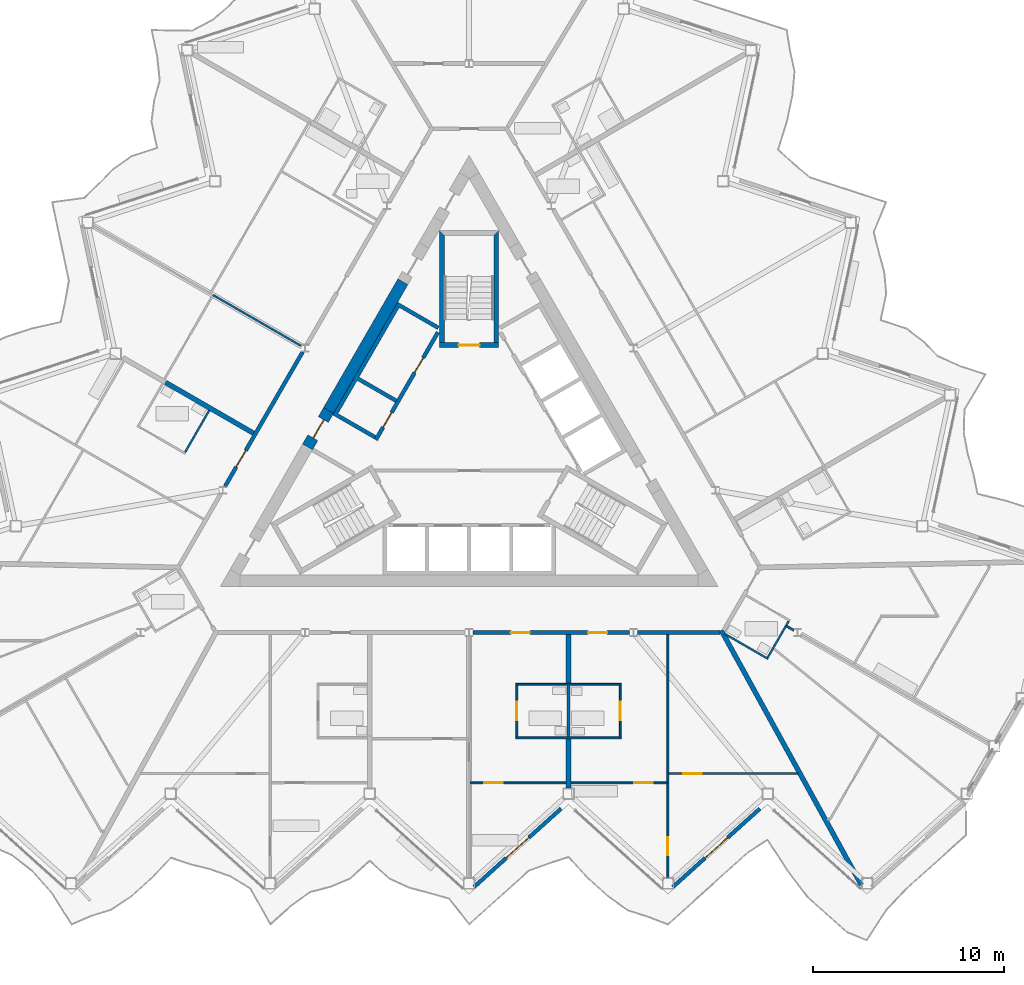
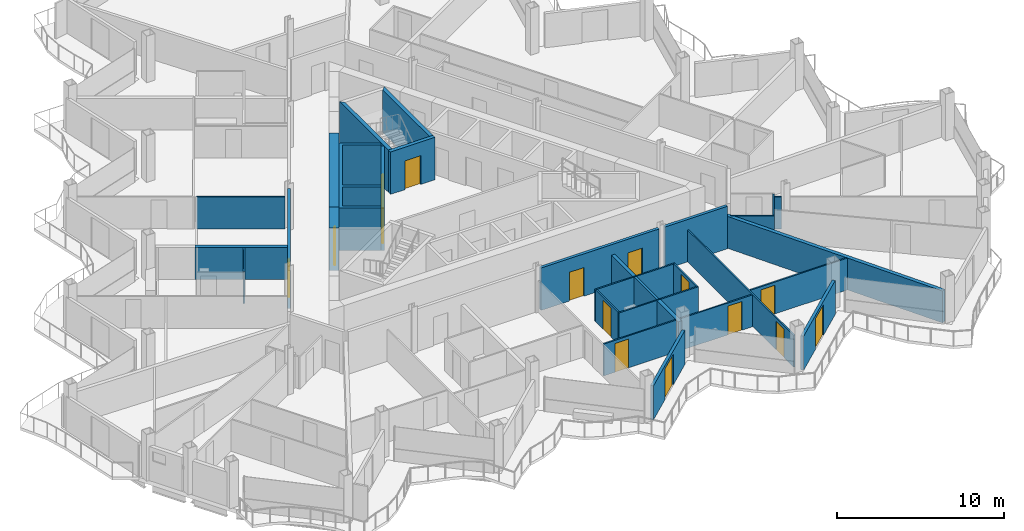
# One storey, part 15 of 27: 29 walls, 15 doors, 15 openings.
"""IFC4 building model written with IfcOpenShell, lengths in metres."""

from ifc_helpers import new_model, si_unit, direction, frame, frame_2d, origin, place, context, subcontext, project, spatial, polyline, rectangle, outline, extrude, material, layer, layer_set, type_object, element, fill, save


model = new_model("IFC4")

# Units and contexts
model_context = context("Model", 3, precision=1e-05, world=origin(), true_north=direction((0.0, 1.0)))
body_context = subcontext(model_context, "Body", "Model", "MODEL_VIEW")
ifc_project = project(units=[si_unit("LENGTHUNIT", "METRE"), si_unit("AREAUNIT", "SQUARE_METRE"), si_unit("VOLUMEUNIT", "CUBIC_METRE"), si_unit("PLANEANGLEUNIT", "RADIAN"), si_unit("MASSUNIT", "GRAM", prefix="KILO")], contexts=[model_context])

# Site, building, storey
site_placement = place(None, origin())
site = spatial("IfcSite", under=ifc_project, at=site_placement, CompositionType="ELEMENT")
building_placement = place(site_placement, origin())
building = spatial("IfcBuilding", under=site, at=building_placement, Name="Cormorant Prow Tower", CompositionType="ELEMENT")
storey_placement = place(building_placement, frame((0.0, 0.0, 318.800048828125)))
storey = spatial("IfcBuildingStorey", under=building, at=storey_placement, Name="L70", CompositionType="ELEMENT", Elevation=318.800048828125)

# Wall
ifc_material_1 = material(Name="Concrete 8000 psi", Category="concrete")
ifc_layer_1 = layer(ifc_material_1, 0.60009765625)
ifc_layer_set_1 = layer_set([ifc_layer_1], Name="Concrete 8000 psi")
wall_type_1 = type_object("IfcWallType", Name="Core shear wall 600", PredefinedType="SHEAR", material=ifc_layer_set_1)
wall_1_placement = place(storey_placement, frame((-3.460693359375, 8.416748046875, 0.0), z_axis=(0.0, 0.0, 1.0), x_axis=(-0.50000391502, -0.866023143435, 0.0)))
element("IfcWall", 1, at=wall_1_placement, inside=storey, type_object=wall_type_1, Name="Core wall", PredefinedType="SHEAR", context=body_context, shape_type="SweptSolid", body=[
    extrude(rectangle(XDim=7.7587890625, YDim=0.60009765625, at=frame_2d((3.87939453125, 0.0))), origin(), (0.0, 0.0, 1.0), 3.099853515625),
])

# Wall, opening, door
wall_2_placement = place(storey_placement, frame((-7.340087890625, 1.697509765625, 0.0), z_axis=(0.0, 0.0, 1.0), x_axis=(-0.50002983664, -0.866008176907, 0.0)))
wall_2 = element("IfcWall", 2, at=wall_2_placement, inside=storey, type_object=wall_type_1, Name="Core wall door panel", PredefinedType="SHEAR", context=body_context, shape_type="SweptSolid", body=[
    extrude(rectangle(XDim=2.199951171875, YDim=0.60009765625, at=frame_2d((1.10009765625, 0.0))), origin(), (0.0, 0.0, 1.0), 3.099853515625),
])
opening_1_placement = place(wall_2_placement, frame((0.550048828125, 0.0, 0.0)))
opening_1 = element("IfcOpeningElement", 3, at=opening_1_placement, cuts=wall_2, Name="Opening L70-C20", PredefinedType="OPENING", context=body_context, shape_type="SweptSolid", body=[
    extrude(rectangle(XDim=1.10009765625, YDim=2.10009765625, at=frame_2d((0.550048828125, 1.050048828125))), frame((0.0, 0.31005859375, 0.0), z_axis=(0.0, -1.0, 0.0), x_axis=(1.0, 0.0, 0.0)), (0.0, 0.0, 1.0), 0.6201171875),
])
ifc_material_2 = material(Name="Painted steel", Category="steel")
door_type_1 = type_object("IfcDoorType", Name="Core door 1100x2100", OperationType="NOTDEFINED", PredefinedType="DOOR", material=ifc_material_2)
door_1_placement = place(opening_1_placement, origin())
door_1 = element("IfcDoor", 4, at=door_1_placement, inside=storey, type_object=door_type_1, Name="Core door, lift lobby", OperationType="SINGLE_SWING_RIGHT", OverallHeight=2.10009765625, OverallWidth=1.10009765625, PredefinedType="DOOR", context=body_context, shape_type="SweptSolid", body=[
    extrude(rectangle(XDim=1.10009765625, YDim=2.10009765625, at=frame_2d((0.550048828125, 1.050048828125))), frame((0.0, 0.05517578125, 0.0), z_axis=(0.0, -1.0, 0.0), x_axis=(1.0, 0.0, 0.0)), (0.0, 0.0, 1.0), 0.050048828125),
])
fill(opening_1, door_1)

# Wall, openings, doors
ifc_material_3 = material(Name="Gypsum board corridor wall")
ifc_layer_2 = layer(ifc_material_3, 0.199951171875)
ifc_layer_set_2 = layer_set([ifc_layer_2], Name="Gypsum board corridor wall")
wall_type_2 = type_object("IfcWallType", Name="Corridor wall 200", PredefinedType="PARTITIONING", material=ifc_layer_set_2)
wall_3_placement = place(storey_placement, frame((0.207763671875, -9.905517578125, 0.0), z_axis=(0.0, 0.0, 1.0), x_axis=(1.0, 0.0, 0.0)))
wall_3 = element("IfcWall", 5, at=wall_3_placement, inside=storey, type_object=wall_type_2, Name="Corridor wall", PredefinedType="PARTITIONING", context=body_context, shape_type="SweptSolid", body=[
    extrude(rectangle(XDim=8.1630859375, YDim=0.199951171875, at=frame_2d((4.08154296875, 0.0))), origin(), (0.0, 0.0, 1.0), 3.099853515625),
])
opening_2_placement = place(wall_3_placement, frame((1.96630859375, 0.0, 0.0)))
opening_2 = element("IfcOpeningElement", 6, at=opening_2_placement, cuts=wall_3, Name="Opening L70-F06", PredefinedType="OPENING", context=body_context, shape_type="SweptSolid", body=[
    extrude(rectangle(XDim=1.0, YDim=2.10009765625, at=frame_2d((0.5, 1.050048828125))), frame((0.0, 0.10986328125, 0.0), z_axis=(0.0, -1.0, 0.0), x_axis=(1.0, 0.0, 0.0)), (0.0, 0.0, 1.0), 0.219970703125),
])
opening_3_placement = place(wall_3_placement, frame((6.00439453125, 0.0, 0.0)))
opening_3 = element("IfcOpeningElement", 7, at=opening_3_placement, cuts=wall_3, Name="Opening L70-F11", PredefinedType="OPENING", context=body_context, shape_type="SweptSolid", body=[
    extrude(rectangle(XDim=1.0, YDim=2.10009765625, at=frame_2d((0.5, 1.050048828125))), frame((0.0, 0.10986328125, 0.0), z_axis=(0.0, -1.0, 0.0), x_axis=(1.0, 0.0, 0.0)), (0.0, 0.0, 1.0), 0.219970703125),
])
ifc_material_4 = material(Name="Timber door leaf", Category="wood")
door_type_2 = type_object("IfcDoorType", Name="Flat or room entrance door 1000x2100", OperationType="NOTDEFINED", PredefinedType="DOOR", material=ifc_material_4)
door_2_placement = place(opening_2_placement, origin())
door_2 = element("IfcDoor", 8, at=door_2_placement, inside=storey, type_object=door_type_2, Name="Living room door", OperationType="SINGLE_SWING_RIGHT", OverallHeight=2.10009765625, OverallWidth=1.0, PredefinedType="DOOR", context=body_context, shape_type="SweptSolid", body=[
    extrude(rectangle(XDim=1.0, YDim=2.10009765625, at=frame_2d((0.5, 1.050048828125))), frame((0.0, 0.02490234375, 0.0), z_axis=(0.0, -1.0, 0.0), x_axis=(1.0, 0.0, 0.0)), (0.0, 0.0, 1.0), 0.050048828125),
])
fill(opening_2, door_2)
door_3_placement = place(opening_3_placement, origin())
door_3 = element("IfcDoor", 9, at=door_3_placement, inside=storey, type_object=door_type_2, Name="Living room door", OperationType="SINGLE_SWING_LEFT", OverallHeight=2.10009765625, OverallWidth=1.0, PredefinedType="DOOR", context=body_context, shape_type="SweptSolid", body=[
    extrude(rectangle(XDim=1.0, YDim=2.10009765625, at=frame_2d((0.5, 1.050048828125))), frame((0.0, 0.02490234375, 0.0), z_axis=(0.0, -1.0, 0.0), x_axis=(1.0, 0.0, 0.0)), (0.0, 0.0, 1.0), 0.050048828125),
])
fill(opening_3, door_3)

# Wall, opening, door
wall_4_placement = place(storey_placement, frame((-12.747802734375, -2.268798828125, 0.0), z_axis=(0.0, 0.0, 1.0), x_axis=(0.499984266882, 0.866034487114, 0.0)))
wall_4 = element("IfcWall", 10, at=wall_4_placement, inside=storey, type_object=wall_type_2, Name="Corridor wall", PredefinedType="PARTITIONING", context=body_context, shape_type="SweptSolid", body=[
    extrude(rectangle(XDim=8.098876953125, YDim=0.199951171875, at=frame_2d((4.04931640625, 0.0))), origin(), (0.0, 0.0, 1.0), 3.099853515625),
])
opening_4_placement = place(wall_4_placement, frame((1.16357421875, 0.0, 0.0)))
opening_4 = element("IfcOpeningElement", 11, at=opening_4_placement, cuts=wall_4, Name="Opening L70-F43", PredefinedType="OPENING", context=body_context, shape_type="SweptSolid", body=[
    extrude(rectangle(XDim=1.0, YDim=2.10009765625, at=frame_2d((0.5, 1.050048828125))), frame((0.0, 0.10986328125, 0.0), z_axis=(0.0, -1.0, 0.0), x_axis=(1.0, 0.0, 0.0)), (0.0, 0.0, 1.0), 0.219970703125),
])
door_4_placement = place(opening_4_placement, origin())
door_4 = element("IfcDoor", 12, at=door_4_placement, inside=storey, type_object=door_type_2, Name="Living room door", OperationType="SINGLE_SWING_RIGHT", OverallHeight=2.10009765625, OverallWidth=1.0, PredefinedType="DOOR", context=body_context, shape_type="SweptSolid", body=[
    extrude(rectangle(XDim=1.0, YDim=2.10009765625, at=frame_2d((0.5, 1.050048828125))), frame((0.0, 0.02490234375, 0.0), z_axis=(0.0, -1.0, 0.0), x_axis=(1.0, 0.0, 0.0)), (0.0, 0.0, 1.0), 0.050048828125),
])
fill(opening_4, door_4)

# Wall
wall_5_placement = place(storey_placement, frame((8.7861328125, -9.905517578125, 0.0), z_axis=(0.0, 0.0, 1.0), x_axis=(1.0, 0.0, 0.0)))
element("IfcWall", 13, at=wall_5_placement, inside=storey, type_object=wall_type_2, Name="Corridor wall", PredefinedType="PARTITIONING", context=body_context, shape_type="SweptSolid", body=[
    extrude(rectangle(XDim=4.31982421875, YDim=0.199951171875, at=frame_2d((2.159912109375, 0.0))), origin(), (0.0, 0.0, 1.0), 3.099853515625),
])

# Wall, opening, door
ifc_material_5 = material(Name="Gypsum board partition")
ifc_layer_3 = layer(ifc_material_5, 0.10009765625)
ifc_layer_set_3 = layer_set([ifc_layer_3], Name="Gypsum board partition")
wall_type_3 = type_object("IfcWallType", Name="Internal partition 100", PredefinedType="PARTITIONING", material=ifc_layer_set_3)
wall_6_placement = place(storey_placement, frame((10.385498046875, -22.697998046875, 0.0), z_axis=(0.0, 0.0, 1.0), x_axis=(0.0, 1.0, 0.0)))
wall_6 = element("IfcWall", 14, at=wall_6_placement, inside=storey, type_object=wall_type_3, Name="Internal partition", PredefinedType="PARTITIONING", context=body_context, shape_type="SweptSolid", body=[
    extrude(rectangle(XDim=12.6923828125, YDim=0.10009765625, at=frame_2d((6.34619140625, 0.0))), origin(), (0.0, 0.0, 1.0), 2.330078125),
])
opening_5_placement = place(wall_6_placement, frame((1.1533203125, 0.0, 0.0)))
opening_5 = element("IfcOpeningElement", 15, at=opening_5_placement, cuts=wall_6, Name="Opening L70-F14", PredefinedType="OPENING", context=body_context, shape_type="SweptSolid", body=[
    extrude(rectangle(XDim=0.949951171875, YDim=2.10009765625, at=frame_2d((0.47509765625, 1.050048828125))), frame((0.0, 0.06005859375, 0.0), z_axis=(0.0, -1.0, 0.0), x_axis=(1.0, 0.0, 0.0)), (0.0, 0.0, 1.0), 0.1201171875),
])
ifc_material_6 = material(Name="Timber door leaf", Category="wood")
door_type_3 = type_object("IfcDoorType", Name="Bathroom door 950x2100", OperationType="NOTDEFINED", PredefinedType="DOOR", material=ifc_material_6)
door_5_placement = place(opening_5_placement, origin())
door_5 = element("IfcDoor", 16, at=door_5_placement, inside=storey, type_object=door_type_3, Name="Kitchen door", OperationType="SINGLE_SWING_LEFT", OverallHeight=2.10009765625, OverallWidth=0.949951171875, PredefinedType="DOOR", context=body_context, shape_type="SweptSolid", body=[
    extrude(rectangle(XDim=0.949951171875, YDim=2.10009765625, at=frame_2d((0.47509765625, 1.050048828125))), frame((0.0, 0.02490234375, 0.0), z_axis=(0.0, -1.0, 0.0), x_axis=(1.0, 0.0, 0.0)), (0.0, 0.0, 1.0), 0.050048828125),
])
fill(opening_5, door_5)

# Wall, openings, doors
wall_7_placement = place(storey_placement, frame((0.050048828125, -17.758056640625, 0.0), z_axis=(0.0, 0.0, 1.0), x_axis=(1.0, 0.0, 0.0)))
wall_7 = element("IfcWall", 17, at=wall_7_placement, inside=storey, type_object=wall_type_3, Name="Internal partition", PredefinedType="PARTITIONING", context=body_context, shape_type="SweptSolid", body=[
    extrude(rectangle(XDim=10.28564453125, YDim=0.10009765625, at=frame_2d((5.142822265625, 0.0))), origin(), (0.0, 0.0, 1.0), 2.330078125),
])
opening_6_placement = place(wall_7_placement, frame((0.751953125, 0.0, 0.0)))
opening_6 = element("IfcOpeningElement", 18, at=opening_6_placement, cuts=wall_7, Name="Opening L70-F08", PredefinedType="OPENING", context=body_context, shape_type="SweptSolid", body=[
    extrude(rectangle(XDim=0.949951171875, YDim=2.10009765625, at=frame_2d((0.47509765625, 1.050048828125))), frame((0.0, 0.06005859375, 0.0), z_axis=(0.0, -1.0, 0.0), x_axis=(1.0, 0.0, 0.0)), (0.0, 0.0, 1.0), 0.1201171875),
])
opening_7_placement = place(wall_7_placement, frame((8.583740234375, 0.0, 0.0)))
opening_7 = element("IfcOpeningElement", 19, at=opening_7_placement, cuts=wall_7, Name="Opening L70-F13", PredefinedType="OPENING", context=body_context, shape_type="SweptSolid", body=[
    extrude(rectangle(XDim=0.949951171875, YDim=2.10009765625, at=frame_2d((0.47509765625, 1.050048828125))), frame((0.0, 0.06005859375, 0.0), z_axis=(0.0, -1.0, 0.0), x_axis=(1.0, 0.0, 0.0)), (0.0, 0.0, 1.0), 0.1201171875),
])
door_6_placement = place(opening_6_placement, origin())
door_6 = element("IfcDoor", 20, at=door_6_placement, inside=storey, type_object=door_type_3, Name="Living room door", OperationType="SINGLE_SWING_LEFT", OverallHeight=2.10009765625, OverallWidth=0.949951171875, PredefinedType="DOOR", context=body_context, shape_type="SweptSolid", body=[
    extrude(rectangle(XDim=0.949951171875, YDim=2.10009765625, at=frame_2d((0.47509765625, 1.050048828125))), frame((0.0, 0.02490234375, 0.0), z_axis=(0.0, -1.0, 0.0), x_axis=(1.0, 0.0, 0.0)), (0.0, 0.0, 1.0), 0.050048828125),
])
fill(opening_6, door_6)
door_7_placement = place(opening_7_placement, origin())
door_7 = element("IfcDoor", 21, at=door_7_placement, inside=storey, type_object=door_type_3, Name="Living room door", OperationType="SINGLE_SWING_RIGHT", OverallHeight=2.10009765625, OverallWidth=0.949951171875, PredefinedType="DOOR", context=body_context, shape_type="SweptSolid", body=[
    extrude(rectangle(XDim=0.949951171875, YDim=2.10009765625, at=frame_2d((0.47509765625, 1.050048828125))), frame((0.0, 0.02490234375, 0.0), z_axis=(0.0, -1.0, 0.0), x_axis=(1.0, 0.0, 0.0)), (0.0, 0.0, 1.0), 0.050048828125),
])
fill(opening_7, door_7)

# Wall, opening, door
wall_8_placement = place(storey_placement, frame((10.435546875, -17.27099609375, 0.0), z_axis=(0.0, 0.0, 1.0), x_axis=(1.0, 0.0, 0.0)))
wall_8 = element("IfcWall", 22, at=wall_8_placement, inside=storey, type_object=wall_type_3, Name="Internal partition", PredefinedType="PARTITIONING", context=body_context, shape_type="SweptSolid", body=[
    extrude(rectangle(XDim=6.722412109375, YDim=0.10009765625, at=frame_2d((3.361328125, 0.0))), origin(), (0.0, 0.0, 1.0), 2.330078125),
])
opening_8_placement = place(wall_8_placement, frame((0.7568359375, 0.0, 0.0)))
opening_8 = element("IfcOpeningElement", 23, at=opening_8_placement, cuts=wall_8, Name="Opening L70-F15", PredefinedType="OPENING", context=body_context, shape_type="SweptSolid", body=[
    extrude(rectangle(XDim=0.949951171875, YDim=2.10009765625, at=frame_2d((0.47509765625, 1.050048828125))), frame((0.0, 0.06005859375, 0.0), z_axis=(0.0, -1.0, 0.0), x_axis=(1.0, 0.0, 0.0)), (0.0, 0.0, 1.0), 0.1201171875),
])
door_8_placement = place(opening_8_placement, origin())
door_8 = element("IfcDoor", 24, at=door_8_placement, inside=storey, type_object=door_type_3, Name="Bedroom door", OperationType="SINGLE_SWING_LEFT", OverallHeight=2.10009765625, OverallWidth=0.949951171875, PredefinedType="DOOR", context=body_context, shape_type="SweptSolid", body=[
    extrude(rectangle(XDim=0.949951171875, YDim=2.10009765625, at=frame_2d((0.47509765625, 1.050048828125))), frame((0.0, 0.02490234375, 0.0), z_axis=(0.0, -1.0, 0.0), x_axis=(1.0, 0.0, 0.0)), (0.0, 0.0, 1.0), 0.050048828125),
])
fill(opening_8, door_8)

# Walls
for number, where, z_axis, x_axis, name in (
    (25, (2.44287109375, -12.605712890625, 0.0), (0.0, 0.0, 1.0), (1.0, 0.0, 0.0), "Internal partition"),
    (26, (2.44287109375, -15.405517578125, 0.0), (0.0, 0.0, 1.0), (1.0, 0.0, 0.0), "Internal partition"),
):
    element("IfcWall", number, at=place(storey_placement, frame(where, z_axis=z_axis, x_axis=x_axis)), inside=storey, type_object=wall_type_3, Name=name, PredefinedType="PARTITIONING", context=body_context, shape_type="SweptSolid", body=[
        extrude(rectangle(XDim=5.5, YDim=0.10009765625, at=frame_2d((2.75, 0.0))), origin(), (0.0, 0.0, 1.0), 2.330078125),
    ])
wall_9_placement = place(storey_placement, frame((-13.38623046875, 7.728515625, 0.0), z_axis=(0.0, 0.0, 1.0), x_axis=(0.866034036823, -0.49998504684, 0.0)))
element("IfcWall", 27, at=wall_9_placement, inside=storey, type_object=wall_type_3, Name="Internal partition", PredefinedType="PARTITIONING", context=body_context, shape_type="SweptSolid", body=[
    extrude(rectangle(XDim=5.311767578125, YDim=0.10009765625, at=frame_2d((2.65576171875, 0.0))), origin(), (0.0, 0.0, 1.0), 2.330078125),
])

# Wall, opening, door
wall_10_placement = place(storey_placement, frame((2.492919921875, -15.355712890625, 0.0), z_axis=(0.0, 0.0, 1.0), x_axis=(0.0, 1.0, 0.0)))
wall_10 = element("IfcWall", 28, at=wall_10_placement, inside=storey, type_object=wall_type_3, Name="Internal partition", PredefinedType="PARTITIONING", context=body_context, shape_type="SweptSolid", body=[
    extrude(rectangle(XDim=2.7001953125, YDim=0.10009765625, at=frame_2d((1.35009765625, 0.0))), origin(), (0.0, 0.0, 1.0), 2.330078125),
])
opening_9_placement = place(wall_10_placement, frame((0.875, 0.0, 0.0)))
opening_9 = element("IfcOpeningElement", 29, at=opening_9_placement, cuts=wall_10, Name="Opening L70-F07", PredefinedType="OPENING", context=body_context, shape_type="SweptSolid", body=[
    extrude(rectangle(XDim=0.949951171875, YDim=2.10009765625, at=frame_2d((0.47509765625, 1.050048828125))), frame((0.0, 0.06005859375, 0.0), z_axis=(0.0, -1.0, 0.0), x_axis=(1.0, 0.0, 0.0)), (0.0, 0.0, 1.0), 0.1201171875),
])
door_9_placement = place(opening_9_placement, origin())
door_9 = element("IfcDoor", 30, at=door_9_placement, inside=storey, type_object=door_type_3, Name="Living room door", OperationType="SINGLE_SWING_RIGHT", OverallHeight=2.10009765625, OverallWidth=0.949951171875, PredefinedType="DOOR", context=body_context, shape_type="SweptSolid", body=[
    extrude(rectangle(XDim=0.949951171875, YDim=2.10009765625, at=frame_2d((0.47509765625, 1.050048828125))), frame((0.0, 0.02490234375, 0.0), z_axis=(0.0, -1.0, 0.0), x_axis=(1.0, 0.0, 0.0)), (0.0, 0.0, 1.0), 0.050048828125),
])
fill(opening_9, door_9)

wall_11_placement = place(storey_placement, frame((7.892822265625, -15.355712890625, 0.0), z_axis=(0.0, 0.0, 1.0), x_axis=(0.0, 1.0, 0.0)))
wall_11 = element("IfcWall", 31, at=wall_11_placement, inside=storey, type_object=wall_type_3, Name="Internal partition", PredefinedType="PARTITIONING", context=body_context, shape_type="SweptSolid", body=[
    extrude(rectangle(XDim=2.7001953125, YDim=0.10009765625, at=frame_2d((1.35009765625, 0.0))), origin(), (0.0, 0.0, 1.0), 2.330078125),
])
opening_10_placement = place(wall_11_placement, frame((0.875, 0.0, 0.0)))
opening_10 = element("IfcOpeningElement", 32, at=opening_10_placement, cuts=wall_11, Name="Opening L70-F12", PredefinedType="OPENING", context=body_context, shape_type="SweptSolid", body=[
    extrude(rectangle(XDim=0.949951171875, YDim=2.10009765625, at=frame_2d((0.47509765625, 1.050048828125))), frame((0.0, 0.06005859375, 0.0), z_axis=(0.0, -1.0, 0.0), x_axis=(1.0, 0.0, 0.0)), (0.0, 0.0, 1.0), 0.1201171875),
])
door_10_placement = place(opening_10_placement, origin())
door_10 = element("IfcDoor", 33, at=door_10_placement, inside=storey, type_object=door_type_3, Name="Living room door", OperationType="SINGLE_SWING_RIGHT", OverallHeight=2.10009765625, OverallWidth=0.949951171875, PredefinedType="DOOR", context=body_context, shape_type="SweptSolid", body=[
    extrude(rectangle(XDim=0.949951171875, YDim=2.10009765625, at=frame_2d((0.47509765625, 1.050048828125))), frame((0.0, 0.02490234375, 0.0), z_axis=(0.0, -1.0, 0.0), x_axis=(1.0, 0.0, 0.0)), (0.0, 0.0, 1.0), 0.050048828125),
])
fill(opening_10, door_10)

# Walls
wall_12_placement = place(storey_placement, frame((-14.838134765625, -0.4892578125, 0.0), z_axis=(0.0, 0.0, 1.0), x_axis=(0.499976333282, 0.866039067339, 0.0)))
element("IfcWall", 34, at=wall_12_placement, inside=storey, type_object=wall_type_3, Name="Internal partition", PredefinedType="PARTITIONING", context=body_context, shape_type="SweptSolid", body=[
    extrude(rectangle(XDim=2.52490234375, YDim=0.10009765625, at=frame_2d((1.262451171875, 0.0))), origin(), (0.0, 0.0, 1.0), 2.330078125),
])
wall_13_placement = place(storey_placement, frame((13.339111328125, -9.968017578125, 0.0), z_axis=(0.0, 0.0, 1.0), x_axis=(0.866013657776, -0.500020344131, 0.0)))
element("IfcWall", 35, at=wall_13_placement, inside=storey, type_object=wall_type_3, Name="Internal partition", PredefinedType="PARTITIONING", context=body_context, shape_type="SweptSolid", body=[
    extrude(rectangle(XDim=2.625, YDim=0.10009765625, at=frame_2d((1.3125, 0.0))), origin(), (0.0, 0.0, 1.0), 2.330078125),
])
wall_14_placement = place(storey_placement, frame((15.593994140625, -11.21240234375, 0.0), z_axis=(0.0, 0.0, 1.0), x_axis=(0.499981787252, 0.866035918664, 0.0)))
element("IfcWall", 36, at=wall_14_placement, inside=storey, type_object=wall_type_3, Name="Internal partition", PredefinedType="PARTITIONING", context=body_context, shape_type="SweptSolid", body=[
    extrude(rectangle(XDim=2.2001953125, YDim=0.10009765625, at=frame_2d((1.10009765625, 0.0))), origin(), (0.0, 0.0, 1.0), 2.330078125),
])
wall_15_placement = place(storey_placement, frame((16.593994140625, -9.58056640625, 0.0), z_axis=(0.0, 0.0, 1.0), x_axis=(0.866036909293, -0.499980071345, 0.0)))
element("IfcWall", 37, at=wall_15_placement, inside=storey, type_object=wall_type_3, Name="Internal partition", PredefinedType="PARTITIONING", context=body_context, shape_type="SweptSolid", body=[
    extrude(rectangle(XDim=0.41015625, YDim=0.10009765625, at=frame_2d((0.205078125, 0.0))), origin(), (0.0, 0.0, 1.0), 2.330078125),
])

# Wall, openings, doors
ifc_material_7 = material(Name="Concrete 5000 psi", Category="concrete")
ifc_layer_4 = layer(ifc_material_7, 0.199951171875)
ifc_layer_set_4 = layer_set([ifc_layer_4], Name="Concrete 5000 psi")
wall_type_4 = type_object("IfcWallType", Name="Lift lobby wall 200", PredefinedType="SOLIDWALL", material=ifc_layer_set_4)
wall_16_placement = place(storey_placement, frame((-1.630615234375, 5.775634765625, 0.0), z_axis=(0.0, 0.0, 1.0), x_axis=(-0.499992876559, -0.866029516466, 0.0)))
wall_16 = element("IfcWall", 38, at=wall_16_placement, inside=storey, type_object=wall_type_4, Name="Lift lobby wall, WNW block", PredefinedType="SOLIDWALL", context=body_context, shape_type="SweptSolid", body=[
    extrude(rectangle(XDim=6.486328125, YDim=0.199951171875, at=frame_2d((3.2431640625, 0.0))), origin(), (0.0, 0.0, 1.0), 3.099853515625),
])
opening_11_placement = place(wall_16_placement, frame((1.53662109375, 0.0, 0.0)))
opening_11 = element("IfcOpeningElement", 39, at=opening_11_placement, cuts=wall_16, Name="Opening L70-C09", PredefinedType="OPENING", context=body_context, shape_type="SweptSolid", body=[
    extrude(rectangle(XDim=0.89990234375, YDim=2.10009765625, at=frame_2d((0.449951171875, 1.050048828125))), frame((0.0, 0.10986328125, 0.0), z_axis=(0.0, -1.0, 0.0), x_axis=(1.0, 0.0, 0.0)), (0.0, 0.0, 1.0), 0.219970703125),
])
opening_12_placement = place(wall_16_placement, frame((4.836669921875, 0.0, 0.0)))
opening_12 = element("IfcOpeningElement", 40, at=opening_12_placement, cuts=wall_16, Name="Opening L70-C10", PredefinedType="OPENING", context=body_context, shape_type="SweptSolid", body=[
    extrude(rectangle(XDim=0.89990234375, YDim=2.10009765625, at=frame_2d((0.449951171875, 1.050048828125))), frame((0.0, 0.10986328125, 0.0), z_axis=(0.0, -1.0, 0.0), x_axis=(1.0, 0.0, 0.0)), (0.0, 0.0, 1.0), 0.219970703125),
])
ifc_material_8 = material(Name="Painted steel", Category="steel")
door_type_4 = type_object("IfcDoorType", Name="Service door 900x2100", OperationType="NOTDEFINED", PredefinedType="DOOR", material=ifc_material_8)
door_11_placement = place(opening_11_placement, origin())
door_11 = element("IfcDoor", 41, at=door_11_placement, inside=storey, type_object=door_type_4, Name="Service door, Refuse store", OperationType="SINGLE_SWING_LEFT", OverallHeight=2.10009765625, OverallWidth=0.89990234375, PredefinedType="DOOR", context=body_context, shape_type="SweptSolid", body=[
    extrude(rectangle(XDim=0.89990234375, YDim=2.10009765625, at=frame_2d((0.449951171875, 1.050048828125))), frame((0.0, 0.02490234375, 0.0), z_axis=(0.0, -1.0, 0.0), x_axis=(1.0, 0.0, 0.0)), (0.0, 0.0, 1.0), 0.050048828125),
])
fill(opening_11, door_11)
door_12_placement = place(opening_12_placement, origin())
door_12 = element("IfcDoor", 42, at=door_12_placement, inside=storey, type_object=door_type_4, Name="Service door, Telecom room", OperationType="SINGLE_SWING_LEFT", OverallHeight=2.10009765625, OverallWidth=0.89990234375, PredefinedType="DOOR", context=body_context, shape_type="SweptSolid", body=[
    extrude(rectangle(XDim=0.89990234375, YDim=2.10009765625, at=frame_2d((0.449951171875, 1.050048828125))), frame((0.0, 0.02490234375, 0.0), z_axis=(0.0, -1.0, 0.0), x_axis=(1.0, 0.0, 0.0)), (0.0, 0.0, 1.0), 0.050048828125),
])
fill(opening_12, door_12)

# Walls
ifc_material_9 = material(Name="Concrete 8000 psi", Category="concrete")
ifc_layer_5 = layer(ifc_material_9, 0.199951171875)
ifc_layer_set_5 = layer_set([ifc_layer_5], Name="Concrete 8000 psi")
wall_type_5 = type_object("IfcWallType", Name="Lift shaft wall 200", PredefinedType="SHEAR", material=ifc_layer_set_5)
wall_17_placement = place(storey_placement, origin())
element("IfcWall", 43, at=wall_17_placement, inside=storey, type_object=wall_type_5, Name="Lift shaft walls, WNW block", PredefinedType="SHEAR", context=body_context, shape_type="SweptSolid", body=[
    extrude(outline(polyline([(-4.96044921875, 0.2080078125), (-7.130859375, 1.461181640625), (-3.730712890625, 7.35009765625), (-1.560546875, 6.09716796875), (-1.660400390625, 5.923828125), (-3.65234375, 7.073974609375), (-5.75244140625, 3.4365234375), (-3.760498046875, 2.28662109375), (-3.860595703125, 2.11328125), (-5.852294921875, 3.263427734375), (-6.852294921875, 1.53125), (-4.860595703125, 0.38134765625), (-4.96044921875, 0.2080078125)])), origin(), (0.0, 0.0, 1.0), 3.099853515625),
])
ifc_material_10 = material(Name="Concrete 8000 psi", Category="concrete")
ifc_layer_6 = layer(ifc_material_10, 0.25)
ifc_layer_set_6 = layer_set([ifc_layer_6], Name="Concrete 8000 psi")
wall_type_6 = type_object("IfcWallType", Name="Stair wall 250", PredefinedType="SHEAR", material=ifc_layer_set_6)
wall_18_placement = place(storey_placement, origin())
element("IfcWall", 44, at=wall_18_placement, inside=storey, type_object=wall_type_6, Name="Stair ST3 enclosure wall (flank)", PredefinedType="SHEAR", context=body_context, shape_type="SweptSolid", body=[
    extrude(outline(polyline([(1.5439453125, 5.23681640625), (1.5439453125, 11.0869140625), (1.2939453125, 10.8369140625), (1.2939453125, 5.23681640625), (1.5439453125, 5.23681640625)])), origin(), (0.0, 0.0, 1.0), 3.099853515625),
])
wall_19_placement = place(storey_placement, origin())
element("IfcWall", 45, at=wall_19_placement, inside=storey, type_object=wall_type_6, Name="Stair ST3 enclosure wall (flank)", PredefinedType="SHEAR", context=body_context, shape_type="SweptSolid", body=[
    extrude(outline(polyline([(-1.2939453125, 10.8369140625), (-1.5439453125, 11.0869140625), (-1.5439453125, 5.23681640625), (-1.2939453125, 5.23681640625), (-1.2939453125, 10.8369140625)])), origin(), (0.0, 0.0, 1.0), 3.099853515625),
])

# Wall, opening, door
wall_20_placement = place(storey_placement, frame((1.5439453125, 5.11181640625, 0.0), z_axis=(0.0, 0.0, 1.0), x_axis=(-1.0, 0.0, 0.0)))
wall_20 = element("IfcWall", 46, at=wall_20_placement, inside=storey, type_object=wall_type_6, Name="Stair ST3 door wall", PredefinedType="SHEAR", context=body_context, shape_type="SweptSolid", body=[
    extrude(rectangle(XDim=3.087890625, YDim=0.25, at=frame_2d((1.5439453125, 0.0))), origin(), (0.0, 0.0, 1.0), 3.099853515625),
])
opening_13_placement = place(wall_20_placement, frame((0.993896484375, 0.0, 0.0)))
opening_13 = element("IfcOpeningElement", 47, at=opening_13_placement, cuts=wall_20, Name="Opening L70-C14", PredefinedType="OPENING", context=body_context, shape_type="SweptSolid", body=[
    extrude(rectangle(XDim=1.10009765625, YDim=2.10009765625, at=frame_2d((0.550048828125, 1.050048828125))), frame((0.0, 0.135009765625, 0.0), z_axis=(0.0, -1.0, 0.0), x_axis=(1.0, 0.0, 0.0)), (0.0, 0.0, 1.0), 0.27001953125),
])
ifc_material_11 = material(Name="Painted steel", Category="steel")
door_type_5 = type_object("IfcDoorType", Name="Stair door 1100x2100", OperationType="NOTDEFINED", PredefinedType="DOOR", material=ifc_material_11)
door_13_placement = place(opening_13_placement, origin())
door_13 = element("IfcDoor", 48, at=door_13_placement, inside=storey, type_object=door_type_5, Name="Stair ST3 door", OperationType="SINGLE_SWING_RIGHT", OverallHeight=2.10009765625, OverallWidth=1.10009765625, PredefinedType="DOOR", context=body_context, shape_type="SweptSolid", body=[
    extrude(rectangle(XDim=1.10009765625, YDim=2.10009765625, at=frame_2d((0.550048828125, 1.050048828125))), frame((0.0, 0.02490234375, 0.0), z_axis=(0.0, -1.0, 0.0), x_axis=(1.0, 0.0, 0.0)), (0.0, 0.0, 1.0), 0.050048828125),
])
fill(opening_13, door_13)

# Walls
ifc_material_12 = material(Name="Acoustic gypsum party wall")
ifc_layer_7 = layer(ifc_material_12, 0.25)
ifc_layer_set_7 = layer_set([ifc_layer_7], Name="Acoustic gypsum party wall")
wall_type_7 = type_object("IfcWallType", Name="Suite party wall 250", PredefinedType="PARTITIONING", material=ifc_layer_set_7)
wall_21_placement = place(storey_placement, frame((13.170654296875, -9.7958984375, 0.0), z_axis=(0.0, 0.0, 1.0), x_axis=(0.481999020381, -0.876171755053, 0.0)))
element("IfcWall", 49, at=wall_21_placement, inside=storey, type_object=wall_type_7, Name="Suite party wall", PredefinedType="PARTITIONING", context=body_context, shape_type="SweptSolid", body=[
    extrude(rectangle(XDim=15.177734375, YDim=0.25, at=frame_2d((7.5888671875, 0.0))), origin(), (0.0, 0.0, 1.0), 2.330078125),
])
wall_22_placement = place(storey_placement, frame((-16.054931640625, 3.273193359375, 0.0), z_axis=(0.0, 0.0, 1.0), x_axis=(0.866019581949, -0.500010083578, 0.0)))
element("IfcWall", 50, at=wall_22_placement, inside=storey, type_object=wall_type_7, Name="Suite party wall", PredefinedType="PARTITIONING", context=body_context, shape_type="SweptSolid", body=[
    extrude(rectangle(XDim=5.53515625, YDim=0.25, at=frame_2d((2.767578125, 0.0))), origin(), (0.0, 0.0, 1.0), 2.330078125),
])
wall_23_placement = place(storey_placement, frame((5.19287109375, -12.5556640625, 0.0), z_axis=(0.0, 0.0, 1.0), x_axis=(0.0, 1.0, 0.0)))
element("IfcWall", 51, at=wall_23_placement, inside=storey, type_object=wall_type_7, Name="Suite party wall", PredefinedType="PARTITIONING", context=body_context, shape_type="SweptSolid", body=[
    extrude(rectangle(XDim=2.550048828125, YDim=0.25, at=frame_2d((1.27490234375, 0.0))), origin(), (0.0, 0.0, 1.0), 2.330078125),
])
wall_24_placement = place(storey_placement, frame((5.19287109375, -18.016845703125, 0.0), z_axis=(0.0, 0.0, 1.0), x_axis=(0.0, 1.0, 0.0)))
element("IfcWall", 52, at=wall_24_placement, inside=storey, type_object=wall_type_7, Name="Suite party wall", PredefinedType="PARTITIONING", context=body_context, shape_type="SweptSolid", body=[
    extrude(rectangle(XDim=2.561279296875, YDim=0.25, at=frame_2d((1.28076171875, 0.0))), origin(), (0.0, 0.0, 1.0), 2.330078125),
])

# Wall, opening, door
ifc_material_13 = material(Name="Terracotta", Category="masonry")
ifc_layer_8 = layer(ifc_material_13, 0.199951171875)
ifc_layer_set_8 = layer_set([ifc_layer_8], Name="Terracotta")
wall_type_8 = type_object("IfcWallType", Name="Terracotta jamb wall 200", PredefinedType="SOLIDWALL", material=ifc_layer_set_8)
wall_25_placement = place(storey_placement, frame((0.255615234375, -23.197509765625, 0.0), z_axis=(0.0, 0.0, 1.0), x_axis=(0.743139400616, 0.669136631229, 0.0)))
wall_25 = element("IfcWall", 53, at=wall_25_placement, inside=storey, type_object=wall_type_8, Name="Terracotta jamb wall S05", PredefinedType="SOLIDWALL", context=body_context, shape_type="SweptSolid", body=[
    extrude(rectangle(XDim=6.119873046875, YDim=0.199951171875, at=frame_2d((3.06005859375, 0.0))), origin(), (0.0, 0.0, 1.0), 2.48779296875),
])
opening_14_placement = place(wall_25_placement, frame((2.259765625, 0.0, 0.0)))
opening_14 = element("IfcOpeningElement", 54, at=opening_14_placement, cuts=wall_25, Name="Opening ED70.03", PredefinedType="OPENING", context=body_context, shape_type="SweptSolid", body=[
    extrude(rectangle(XDim=1.60009765625, YDim=2.25, at=frame_2d((0.800048828125, 1.125))), frame((0.0, 0.10986328125, 0.0), z_axis=(0.0, -1.0, 0.0), x_axis=(1.0, 0.0, 0.0)), (0.0, 0.0, 1.0), 0.219970703125),
])
ifc_material_14 = material(Name="Aluminium 6063-T6", Category="aluminium")
door_type_6 = type_object("IfcDoorType", Name="Balcony door 1600x2250", OperationType="DOUBLE_DOOR_SINGLE_SWING", PredefinedType="DOOR", material=ifc_material_14)
door_14_placement = place(opening_14_placement, origin())
door_14 = element("IfcDoor", 55, at=door_14_placement, inside=storey, type_object=door_type_6, Name="Balcony door S05 ED70.03", OperationType="DOUBLE_DOOR_SINGLE_SWING", OverallHeight=2.25, OverallWidth=1.60009765625, PredefinedType="DOOR", context=body_context, shape_type="SweptSolid", body=[
    extrude(rectangle(XDim=1.60009765625, YDim=2.25, at=frame_2d((0.800048828125, 1.125))), frame((0.0, 0.02490234375, 0.0), z_axis=(0.0, -1.0, 0.0), x_axis=(1.0, 0.0, 0.0)), (0.0, 0.0, 1.0), 0.050048828125),
])
fill(opening_14, door_14)

wall_26_placement = place(storey_placement, frame((10.641357421875, -23.197509765625, 0.0), z_axis=(0.0, 0.0, 1.0), x_axis=(0.743121537674, 0.66915646918, 0.0)))
wall_26 = element("IfcWall", 56, at=wall_26_placement, inside=storey, type_object=wall_type_8, Name="Terracotta jamb wall S07", PredefinedType="SOLIDWALL", context=body_context, shape_type="SweptSolid", body=[
    extrude(rectangle(XDim=6.11962890625, YDim=0.199951171875, at=frame_2d((3.059814453125, 0.0))), origin(), (0.0, 0.0, 1.0), 2.48779296875),
])
opening_15_placement = place(wall_26_placement, frame((2.259765625, 0.0, 0.0)))
opening_15 = element("IfcOpeningElement", 57, at=opening_15_placement, cuts=wall_26, Name="Opening ED70.04", PredefinedType="OPENING", context=body_context, shape_type="SweptSolid", body=[
    extrude(rectangle(XDim=1.60009765625, YDim=2.25, at=frame_2d((0.800048828125, 1.125))), frame((0.0, 0.10986328125, 0.0), z_axis=(0.0, -1.0, 0.0), x_axis=(1.0, 0.0, 0.0)), (0.0, 0.0, 1.0), 0.219970703125),
])
door_15_placement = place(opening_15_placement, origin())
door_15 = element("IfcDoor", 58, at=door_15_placement, inside=storey, type_object=door_type_6, Name="Balcony door S07 ED70.04", OperationType="DOUBLE_DOOR_SINGLE_SWING", OverallHeight=2.25, OverallWidth=1.60009765625, PredefinedType="DOOR", context=body_context, shape_type="SweptSolid", body=[
    extrude(rectangle(XDim=1.60009765625, YDim=2.25, at=frame_2d((0.800048828125, 1.125))), frame((0.0, 0.02490234375, 0.0), z_axis=(0.0, -1.0, 0.0), x_axis=(1.0, 0.0, 0.0)), (0.0, 0.0, 1.0), 0.050048828125),
])
fill(opening_15, door_15)

# Wall
ifc_material_15 = material(Name="Plasterboard wet wall with pipe chase")
ifc_layer_9 = layer(ifc_material_15, 0.14990234375)
ifc_layer_set_9 = layer_set([ifc_layer_9], Name="Plasterboard wet wall with pipe chase")
wall_type_9 = type_object("IfcWallType", Name="Wet wall 150", PredefinedType="PLUMBINGWALL", material=ifc_layer_set_9)
wall_27_placement = place(storey_placement, frame((5.19287109375, -15.355712890625, 0.0), z_axis=(0.0, 0.0, 1.0), x_axis=(0.0, 1.0, 0.0)))
element("IfcWall", 59, at=wall_27_placement, inside=storey, type_object=wall_type_9, Name="Wet wall", PredefinedType="PLUMBINGWALL", context=body_context, shape_type="SweptSolid", body=[
    extrude(rectangle(XDim=2.7001953125, YDim=0.14990234375, at=frame_2d((1.35009765625, 0.0))), origin(), (0.0, 0.0, 1.0), 2.330078125),
])

save(model, "model.ifc")
